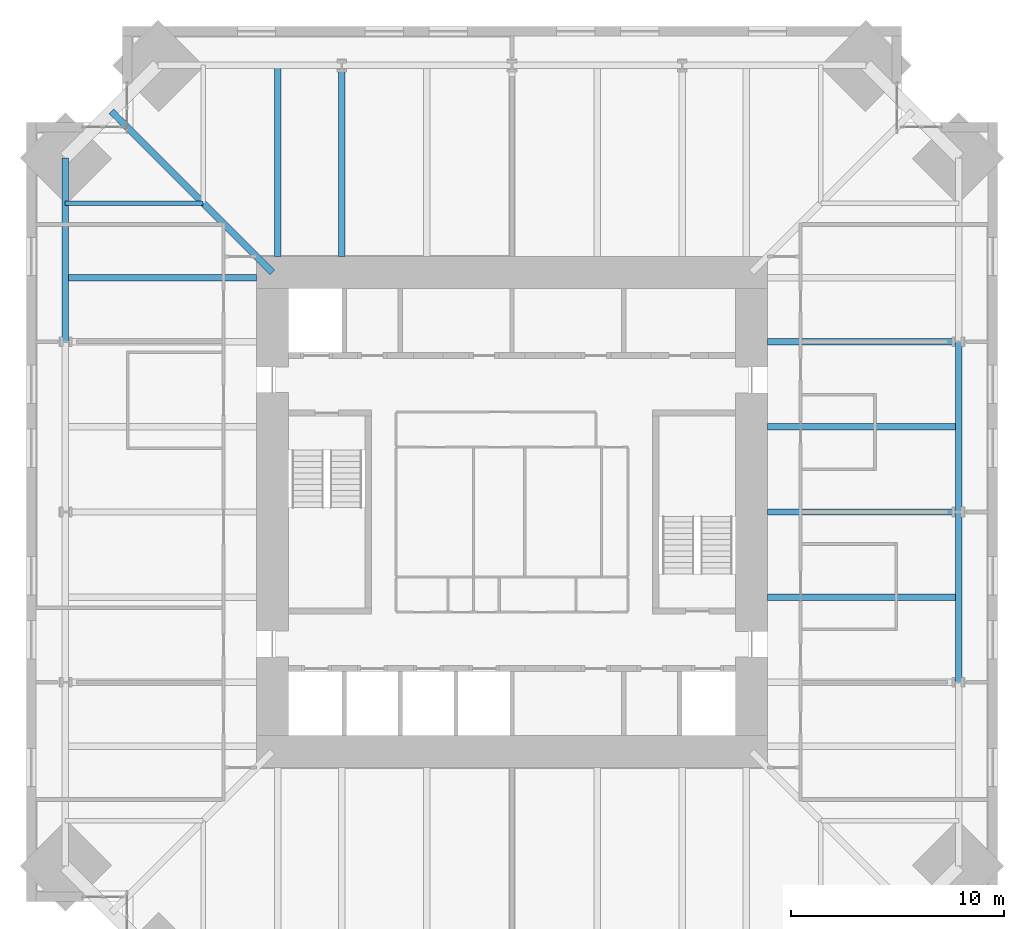
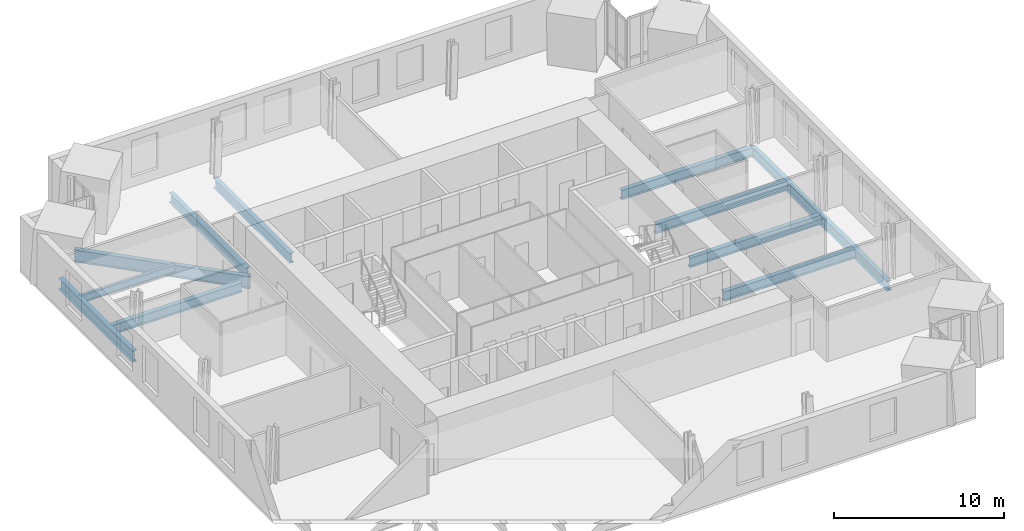
# One storey, part 5 of 15: 12 beams.
"""IFC4 building model written with IfcOpenShell, lengths in metres."""

import ifcopenshell
import ifcopenshell.guid

model = None  # the IFC model being written
_history = None  # IfcOwnerHistory: only IFC2X3 demands one
_inside = {}  # id of a spatial element -> (the spatial element, [elements in it])
_under = {}  # id of a project, library or spatial element -> (it, [spatial elements below it])
_declared = {}  # id of a project -> (the project, [libraries it declares])
_typed = {}  # id of a type object -> (the type object, [elements of that type])
_made_of = {}  # id of a material, layer set ... -> (it, [elements and type objects made of it])


def new_model(schema):
    """Start an empty IFC model of exactly this schema.

    Asked for "IFC4X3", IfcOpenShell would pick the latest addendum, in which some entities
    have other attributes; the version numbers below select the first issue.
    IFC2X3 requires an IfcOwnerHistory on every rooted entity: one is made here for all.
    """
    global model, _history
    if schema == "IFC4X3":
        model = ifcopenshell.file(schema_version=(4, 3, 0, 0))
    else:
        model = ifcopenshell.file(schema=schema)
    _inside.clear()
    _under.clear()
    _declared.clear()
    _typed.clear()
    _made_of.clear()
    _history = None
    if model.schema == "IFC2X3":
        org = make("IfcOrganization", Name="unknown")
        user = make(
            "IfcPersonAndOrganization",
            ThePerson=make("IfcPerson", FamilyName="unknown"),
            TheOrganization=org,
        )
        app = make(
            "IfcApplication",
            ApplicationDeveloper=org,
            Version="unknown",
            ApplicationFullName="unknown",
            ApplicationIdentifier="unknown",
        )
        _history = make(
            "IfcOwnerHistory",
            OwningUser=user,
            OwningApplication=app,
            ChangeAction="ADDED",
            CreationDate=0,
        )
    return model


def make(cls, **values):
    """One entity of the class cls with the attributes given. An attribute that is None is left unset."""
    return model.create_entity(
        cls, **{name: value for name, value in values.items() if value is not None}
    )


def rooted(cls, **values):
    """An entity with a GlobalId (a new one), such as an element, a storey or a relation."""
    return make(cls, GlobalId=ifcopenshell.guid.new(), OwnerHistory=_history, **values)


def si_unit(unit_type, name, prefix=None):
    """IfcSIUnit, for example si_unit("LENGTHUNIT", "METRE", prefix="MILLI")."""
    return make("IfcSIUnit", UnitType=unit_type, Prefix=prefix, Name=name)


def assignment(units):
    """IfcUnitAssignment: the units of a project."""
    return None if units is None else make("IfcUnitAssignment", Units=units)


def point(xyz):
    """IfcCartesianPoint."""
    return None if xyz is None else make("IfcCartesianPoint", Coordinates=xyz)


def direction(xyz):
    """IfcDirection."""
    return None if xyz is None else make("IfcDirection", DirectionRatios=xyz)


def frame(location, z_axis=None, x_axis=None):
    """IfcAxis2Placement3D, a coordinate frame: its origin and axes. An axis left out is left unset."""
    return make(
        "IfcAxis2Placement3D",
        Location=point(location),
        Axis=direction(z_axis),
        RefDirection=direction(x_axis),
    )


def frame_2d(location, x_axis=None):
    """IfcAxis2Placement2D, a coordinate frame in the plane: its origin and x axis."""
    return make(
        "IfcAxis2Placement2D", Location=point(location), RefDirection=direction(x_axis)
    )


def origin():
    """The frame at (0, 0, 0) with its axes left unset."""
    return frame((0.0, 0.0, 0.0))


def origin_2d():
    """The frame at (0, 0) in the plane with its x axis left unset."""
    return frame_2d((0.0, 0.0))


def place(relative_to, where):
    """IfcLocalPlacement: puts the frame where relative to a parent placement (None: the world)."""
    return make(
        "IfcLocalPlacement", PlacementRelTo=relative_to, RelativePlacement=where
    )


def context(
    kind, dimensions, precision=None, world=None, true_north=None, identifier=None
):
    """IfcGeometricRepresentationContext, for example the 3D "Model" context."""
    return make(
        "IfcGeometricRepresentationContext",
        ContextIdentifier=identifier,
        ContextType=kind,
        CoordinateSpaceDimension=dimensions,
        Precision=precision,
        WorldCoordinateSystem=world,
        TrueNorth=true_north,
    )


def subcontext(parent, identifier, kind, view, scale=None):
    """IfcGeometricRepresentationSubContext, for example "Body" below "Model"."""
    return make(
        "IfcGeometricRepresentationSubContext",
        ContextIdentifier=identifier,
        ContextType=kind,
        ParentContext=parent,
        TargetScale=scale,
        TargetView=view,
    )


def project(units=None, contexts=None):
    """IfcProject with its units and contexts."""
    return rooted(
        "IfcProject",
        Name="project",
        RepresentationContexts=contexts,
        UnitsInContext=assignment(units),
    )


def spatial(cls, under=None, at=None, **own):
    """A site, building, storey or space (cls), placed at a placement, below another one or the project."""
    s = rooted(cls, ObjectPlacement=at, **own)
    if under is not None:
        _under.setdefault(under.id(), (under, []))[1].append(s)
    return s


def profile(cls, at=None, kind="AREA", **sizes):
    """A parametric profile (cls). Its sizes go by their IFC names, for example OverallWidth=200.0."""
    return make(cls, ProfileType=kind, Position=at, **sizes)


def i_section(**sizes):
    """IfcIShapeProfileDef."""
    return profile("IfcIShapeProfileDef", **sizes)


def extrude(swept, where, along, depth):
    """IfcExtrudedAreaSolid: the profile swept, set in the frame where, extruded along a direction by depth."""
    return make(
        "IfcExtrudedAreaSolid",
        SweptArea=swept,
        Position=where,
        ExtrudedDirection=direction(along),
        Depth=depth,
    )


def shape(context_of_items, identifier, shape_type, items):
    """IfcShapeRepresentation: the items that make up one representation, for example the "Body"."""
    return make(
        "IfcShapeRepresentation",
        ContextOfItems=context_of_items,
        RepresentationIdentifier=identifier,
        RepresentationType=shape_type,
        Items=items,
    )


def material(Name=None, Category=None):
    """IfcMaterial."""
    return make("IfcMaterial", Name=Name, Category=Category)


def material_profile(
    of_material, cross_section, Name=None, Category=None, Priority=None
):
    """IfcMaterialProfile: a cross section and its material."""
    return make(
        "IfcMaterialProfile",
        Name=Name,
        Material=of_material,
        Profile=cross_section,
        Priority=Priority,
        Category=Category,
    )


def profile_set(profiles, Name=None, composite=None):
    """IfcMaterialProfileSet."""
    return make(
        "IfcMaterialProfileSet",
        Name=Name,
        MaterialProfiles=profiles,
        CompositeProfile=composite,
    )


def made_of(thing, what):
    """Note that an element or type object is made of a material, layer set ...; save() writes the relation."""
    if what is not None:
        _made_of.setdefault(what.id(), (what, []))[1].append(thing)
    return thing


def type_object(cls, material=None, **own):
    """A type object (cls), such as IfcWallType, which elements share."""
    return made_of(rooted(cls, **own), material)


def element(
    cls,
    number,
    at=None,
    inside=None,
    cuts=None,
    type_object=None,
    material=None,
    context=None,
    identifier="Body",
    shape_type=None,
    held_by="IfcProductDefinitionShape",
    body=None,
    shapes=None,
    **own,
):
    """One element of the class cls, such as IfcWall. Its Tag is "e" and its number.

    at: its placement. inside: the storey or other place that contains it. cuts: it is an
    opening in that element (IfcRelVoidsElement). A single representation is given by context,
    identifier, shape_type and body (its items); several are given by shapes. held_by: the class
    of the entity that holds the representations. save() writes the other relations.
    """
    e = rooted(cls, Tag="e%d" % number, ObjectPlacement=at, **own)
    if body is not None:
        shapes = [shape(context, identifier, shape_type, body)]
    if shapes is not None:
        e.Representation = make(held_by, Representations=shapes)
    if inside is not None:
        _inside.setdefault(inside.id(), (inside, []))[1].append(e)
    if cuts is not None:
        rooted(
            "IfcRelVoidsElement", RelatingBuildingElement=cuts, RelatedOpeningElement=e
        )
    if type_object is not None:
        _typed.setdefault(type_object.id(), (type_object, []))[1].append(e)
    return made_of(e, material)


def aggregate(whole, parts):
    """IfcRelAggregates: a whole, such as a stair, and the parts it consists of."""
    return rooted("IfcRelAggregates", RelatingObject=whole, RelatedObjects=parts)


def save(model, path):
    """Write the relations noted so far, then the file.

    IfcRelAggregates (storeys below a building ...), IfcRelContainedInSpatialStructure (elements
    in a storey), IfcRelDefinesByType, IfcRelAssociatesMaterial and IfcRelDeclares: one each for
    every whole, place, type object, material and project.
    """
    for whole, parts in _under.values():
        aggregate(whole, parts)
    for where, things in _inside.values():
        rooted(
            "IfcRelContainedInSpatialStructure",
            RelatedElements=things,
            RelatingStructure=where,
        )
    for kind, things in _typed.values():
        rooted("IfcRelDefinesByType", RelatedObjects=things, RelatingType=kind)
    for what, things in _made_of.values():
        rooted("IfcRelAssociatesMaterial", RelatedObjects=things, RelatingMaterial=what)
    for by, libraries in _declared.values():
        rooted("IfcRelDeclares", RelatingContext=by, RelatedDefinitions=libraries)
    model.write(path)


model = new_model("IFC4")

# Units and contexts
model_context = context("Model", 3, precision=1e-05, world=origin(), true_north=direction((0.0, 1.0)))
body_context = subcontext(model_context, "Body", "Model", "MODEL_VIEW")
ifc_project = project(units=[si_unit("LENGTHUNIT", "METRE"), si_unit("AREAUNIT", "SQUARE_METRE"), si_unit("VOLUMEUNIT", "CUBIC_METRE"), si_unit("PLANEANGLEUNIT", "RADIAN"), si_unit("MASSUNIT", "GRAM", prefix="KILO")], contexts=[model_context])

# Site, building, storey
site_placement = place(None, origin())
site = spatial("IfcSite", under=ifc_project, at=site_placement, CompositionType="ELEMENT")
building_placement = place(site_placement, origin())
building = spatial("IfcBuilding", under=site, at=building_placement, Name="Peilmerk Tower", CompositionType="ELEMENT")
storey_placement = place(building_placement, frame((0.0, 0.0, 245.800048828125)))
storey = spatial("IfcBuildingStorey", under=building, at=storey_placement, Name="L54", CompositionType="ELEMENT", Elevation=245.800048828125)

# Beams
ifc_material = material(Name="Steel S355", Category="steel")
ifc_material_profile_1 = material_profile(ifc_material, i_section(OverallWidth=0.2099609375, OverallDepth=0.550048828125, WebThickness=0.010986328125, FlangeThickness=0.01708984375, at=origin_2d()), Name="IPE 550")
ifc_profile_set_1 = profile_set([ifc_material_profile_1], Name="Steel S355")
beam_type_1 = type_object("IfcBeamType", Name="B12 IPE 550 floor beam", PredefinedType="BEAM", material=ifc_profile_set_1)
beam_1_placement = place(storey_placement, frame((-14.5, 14.5, -0.445068359375), z_axis=(-1.0, 0.0, 0.0), x_axis=(0.0, -1.0, 0.0)))
element("IfcBeam", 1, at=beam_1_placement, inside=storey, type_object=beam_type_1, Name="Floor beam L54", PredefinedType="BEAM", context=body_context, shape_type="SweptSolid", body=[
    extrude(i_section(OverallWidth=0.2099609375, OverallDepth=0.550048828125, WebThickness=0.010986328125, FlangeThickness=0.01708984375, at=origin_2d()), origin(), (0.0, 0.0, 1.0), 6.485595703125),
])
ifc_material_profile_2 = material_profile(ifc_material, i_section(OverallWidth=0.302978515625, OverallDepth=0.81396484375, WebThickness=0.02099609375, FlangeThickness=0.0400390625, at=origin_2d()), Name="HEM 800")
ifc_profile_set_2 = profile_set([ifc_material_profile_2], Name="Steel S355")
beam_type_2 = type_object("IfcBeamType", Name="B15 HEM 800 edge beam", PredefinedType="SPANDREL", material=ifc_profile_set_2)
beam_2_placement = place(storey_placement, frame((-20.985595703125, 16.635498046875, -0.5771484375), z_axis=(0.0, -1.0, 0.0), x_axis=(1.0, 0.0, 0.0)))
element("IfcBeam", 2, at=beam_2_placement, inside=storey, type_object=beam_type_2, Name="Edge beam L54", PredefinedType="SPANDREL", context=body_context, shape_type="SweptSolid", body=[
    extrude(i_section(OverallWidth=0.302978515625, OverallDepth=0.81396484375, WebThickness=0.02099609375, FlangeThickness=0.0400390625, at=origin_2d()), origin(), (0.0, 0.0, 1.0), 8.635498046875),
])
ifc_material_profile_3 = material_profile(ifc_material, i_section(OverallWidth=0.300048828125, OverallDepth=0.68994140625, WebThickness=0.014404296875, FlangeThickness=0.027099609375, at=origin_2d()), Name="HEA 700")
ifc_profile_set_3 = profile_set([ifc_material_profile_3], Name="Steel S355")
beam_type_3 = type_object("IfcBeamType", Name="B16 HEA 700 floor beam", PredefinedType="BEAM", material=ifc_profile_set_3)
for number, where, z_axis, x_axis, name in (
    (3, (-8.0, 12.0, -0.51513671875), (0.0, 1.0, 0.0), (-1.0, 0.0, 0.0), "Floor beam L54"),
    (4, (-11.0, 12.0, -0.51513671875), (0.0, 1.0, 0.0), (-1.0, 0.0, 0.0), "Floor beam L54"),
    (5, (12.0, -4.0, -0.51513671875), (1.0, 0.0, 0.0), (0.0, 1.0, 0.0), "Floor beam L54"),
    (6, (12.0, 0.0, -0.51513671875), (1.0, 0.0, 0.0), (0.0, 1.0, 0.0), "Floor beam L54"),
    (7, (12.0, 4.0, -0.51513671875), (1.0, 0.0, 0.0), (0.0, 1.0, 0.0), "Floor beam L54"),
    (8, (12.0, 8.0, -0.51513671875), (1.0, 0.0, 0.0), (0.0, 1.0, 0.0), "Floor beam L54"),
    (9, (-12.0, 11.0, -0.51513671875), (-1.0, 0.0, 0.0), (0.0, -1.0, 0.0), "Floor beam L54"),
):
    element("IfcBeam", number, at=place(storey_placement, frame(where, z_axis=z_axis, x_axis=x_axis)), inside=storey, type_object=beam_type_3, Name=name, PredefinedType="BEAM", context=body_context, shape_type="SweptSolid", body=[
        extrude(i_section(OverallWidth=0.300048828125, OverallDepth=0.68994140625, WebThickness=0.014404296875, FlangeThickness=0.027099609375, at=origin_2d()), origin(), (0.0, 0.0, 1.0), 8.985595703125),
    ])
ifc_material_profile_4 = material_profile(ifc_material, i_section(OverallWidth=0.303955078125, OverallDepth=0.716064453125, WebThickness=0.02099609375, FlangeThickness=0.0400390625, at=origin_2d()), Name="HEM 700")
ifc_profile_set_4 = profile_set([ifc_material_profile_4], Name="Steel S355")
beam_type_4 = type_object("IfcBeamType", Name="B30 HEM 700 edge beam", PredefinedType="SPANDREL", material=ifc_profile_set_4)
for number, where, z_axis, x_axis, name in (
    (10, (20.985595703125, -8.0, -0.528076171875), (0.0, 1.0, 0.0), (-1.0, 0.0, 0.0), "Edge beam L54"),
    (11, (20.985595703125, 0.0, -0.528076171875), (0.0, 1.0, 0.0), (-1.0, 0.0, 0.0), "Edge beam L54"),
):
    element("IfcBeam", number, at=place(storey_placement, frame(where, z_axis=z_axis, x_axis=x_axis)), inside=storey, type_object=beam_type_4, Name=name, PredefinedType="SPANDREL", context=body_context, shape_type="SweptSolid", body=[
        extrude(i_section(OverallWidth=0.303955078125, OverallDepth=0.716064453125, WebThickness=0.02099609375, FlangeThickness=0.0400390625, at=origin_2d()), origin(), (0.0, 0.0, 1.0), 8.0),
    ])
ifc_material_profile_5 = material_profile(ifc_material, i_section(OverallWidth=0.300048828125, OverallDepth=0.889892578125, WebThickness=0.01611328125, FlangeThickness=0.030029296875, at=origin_2d()), Name="HEA 900")
ifc_profile_set_5 = profile_set([ifc_material_profile_5], Name="Steel S355")
beam_type_5 = type_object("IfcBeamType", Name="B4 HEA 900 floor beam", PredefinedType="BEAM", material=ifc_profile_set_5)
beam_3_placement = place(storey_placement, frame((-11.25, 11.25, -0.614990234375), z_axis=(-0.707106781187, 0.707106781187, 0.0), x_axis=(-0.707106781187, -0.707106781187, 0.0)))
element("IfcBeam", 12, at=beam_3_placement, inside=storey, type_object=beam_type_5, Name="Corner girder L54", PredefinedType="BEAM", context=body_context, shape_type="SweptSolid", body=[
    extrude(i_section(OverallWidth=0.300048828125, OverallDepth=0.889892578125, WebThickness=0.01611328125, FlangeThickness=0.030029296875, at=origin_2d()), origin(), (0.0, 0.0, 1.0), 10.692138671875),
])

save(model, "model.ifc")
